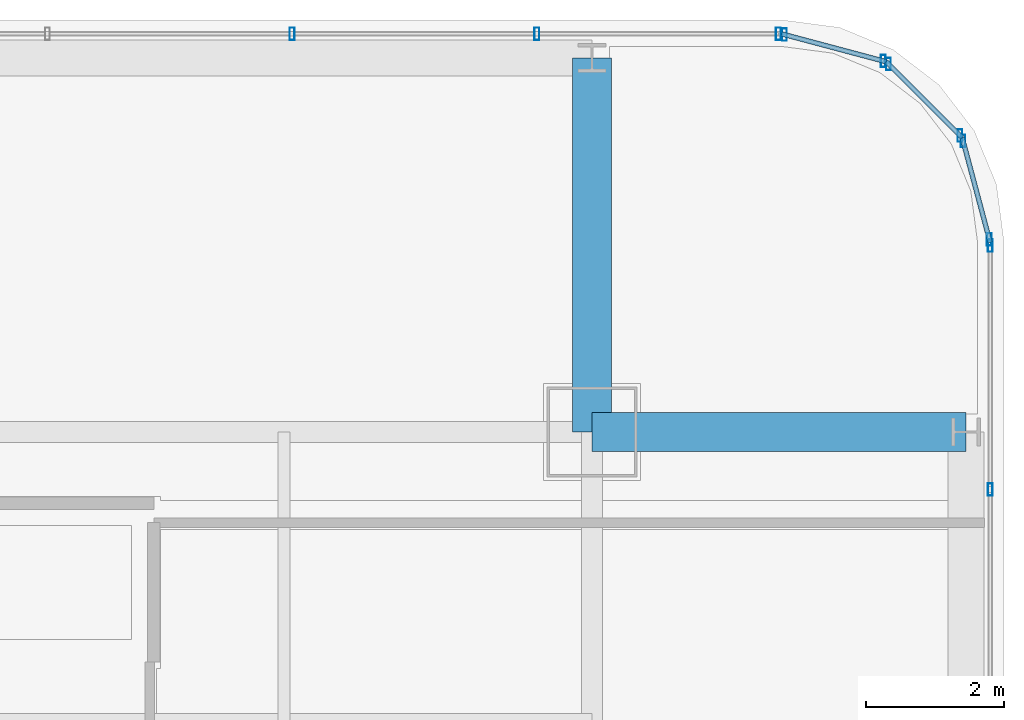
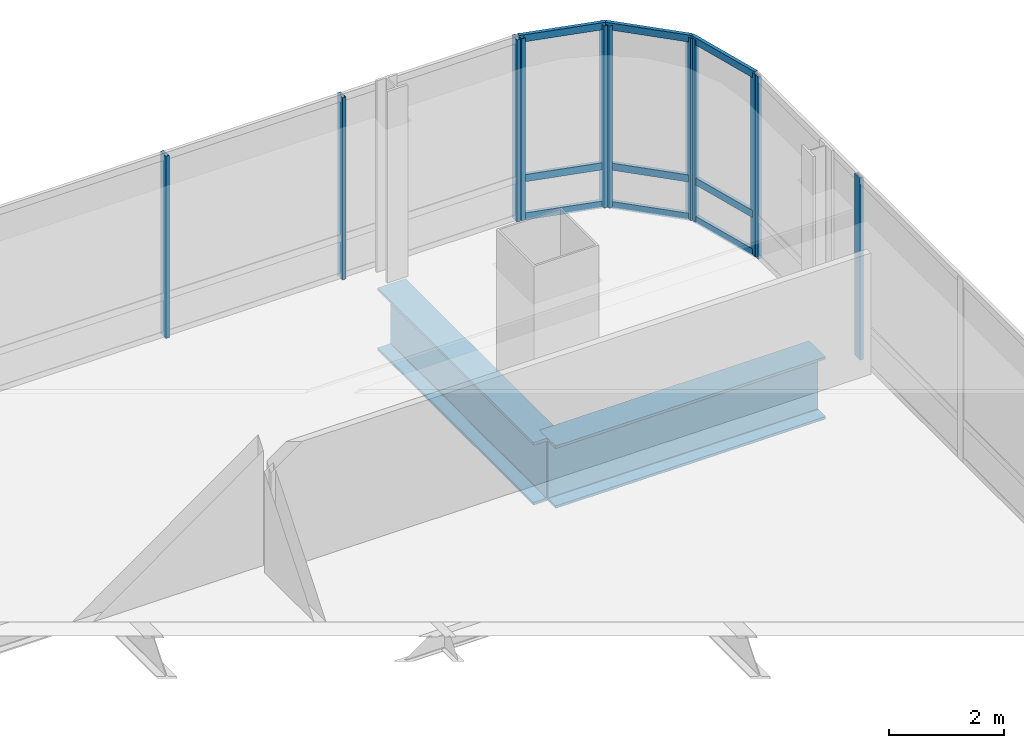
# One storey, part 30 of 42: 20 members, 2 beams, 5 elements without a shape of their own.
"""IFC4 building model written with IfcOpenShell, lengths in metres."""

from ifc_helpers import new_model, si_unit, direction, frame, origin, origin_2d, place, context, subcontext, project, spatial, hollow_rectangle, i_section, extrude, material, material_profile, profile_set, type_object, element, aggregate, save


model = new_model("IFC4")

# Units and contexts
model_context = context("Model", 3, precision=1e-05, world=origin(), true_north=direction((0.0, 1.0)))
body_context = subcontext(model_context, "Body", "Model", "MODEL_VIEW")
ifc_project = project(units=[si_unit("LENGTHUNIT", "METRE"), si_unit("AREAUNIT", "SQUARE_METRE"), si_unit("VOLUMEUNIT", "CUBIC_METRE"), si_unit("PLANEANGLEUNIT", "RADIAN"), si_unit("MASSUNIT", "GRAM", prefix="KILO")], contexts=[model_context])

# Site, building, storey
site_placement = place(None, origin())
site = spatial("IfcSite", under=ifc_project, at=site_placement, CompositionType="ELEMENT")
building_placement = place(site_placement, origin())
building = spatial("IfcBuilding", under=site, at=building_placement, Name="Punatoya Terracotta Tower", CompositionType="ELEMENT")
storey_placement = place(building_placement, frame((0.0, 0.0, 255.449951171875)))
storey = spatial("IfcBuildingStorey", under=building, at=storey_placement, Name="L60", CompositionType="ELEMENT", Elevation=255.449951171875)

# Beams
ifc_material_1 = material(Name="Steel S460", Category="steel")
ifc_material_profile_1 = material_profile(ifc_material_1, i_section(OverallWidth=0.56005859375, OverallDepth=1.320068359375, WebThickness=0.035888671875, FlangeThickness=0.054931640625, FilletRadius=0.01806640625, at=origin_2d()))
ifc_profile_set_1 = profile_set([ifc_material_profile_1], Name="Steel S460")
beam_type = type_object("IfcBeamType", Name="BM-TG-BLK", PredefinedType="BEAM", material=ifc_profile_set_1)
for number, where, z_axis, x_axis, name in (
    (1, (19.10009765625, 17.5, -0.85986328125), (1.0, 0.0, 0.0), (0.0, 1.0, 0.0), "BM-L60-CANT-E4"),
    (2, (19.10009765625, 17.5, -0.85986328125), (0.0, 1.0, 0.0), (-1.0, 0.0, 0.0), "BM-L60-CANT-N4"),
):
    element("IfcBeam", number, at=place(storey_placement, frame(where, z_axis=z_axis, x_axis=x_axis)), inside=storey, type_object=beam_type, Name=name, PredefinedType="BEAM", context=body_context, shape_type="SweptSolid", body=[
        extrude(i_section(OverallWidth=0.56005859375, OverallDepth=1.320068359375, WebThickness=0.035888671875, FlangeThickness=0.054931640625, FilletRadius=0.01806640625, at=origin_2d()), origin(), (0.0, 0.0, 1.0), 5.39990234375),
    ])

# Curtain wall, members
ifc_material_2 = material(Name="Aluminium 6063-T6 + Double Low-E Glass", Category="aluminium")
curtain_wall_type = type_object("IfcCurtainWallType", Name="CW-M3", PredefinedType="NOTDEFINED", material=ifc_material_2)
curtain_wall_1_placement = place(storey_placement, origin())
curtain_wall_1 = element("IfcCurtainWall", 3, at=curtain_wall_1_placement, inside=storey, type_object=curtain_wall_type, Name="L60 Curtain Wall CW-L60-E05-1", PredefinedType="NOTDEFINED")
ifc_material_3 = material(Name="Aluminium 6063-T6", Category="aluminium")
ifc_material_profile_2 = material_profile(ifc_material_3, hollow_rectangle(XDim=0.070068359375, YDim=0.179931640625, WallThickness=0.00390625, at=origin_2d()))
ifc_profile_set_2 = profile_set([ifc_material_profile_2], Name="Aluminium 6063-T6")
member_type_1 = type_object("IfcMemberType", Name="CW-MUL-M3", PredefinedType="MULLION", material=ifc_profile_set_2)
member_1_placement = place(storey_placement, frame((24.85009765625, 16.66943359375, 0.0), z_axis=(0.0, 0.0, 1.0), x_axis=(1.0, 0.0, 0.0)))
member_1 = element("IfcMember", 4, at=member_1_placement, type_object=member_type_1, Name="CW-L60-E05-1 Mullion 09", PredefinedType="MULLION", context=body_context, shape_type="SweptSolid", body=[
    extrude(hollow_rectangle(XDim=0.070068359375, YDim=0.179931640625, WallThickness=0.00390625, at=origin_2d()), origin(), (0.0, 0.0, 1.0), 3.85009765625),
])
member_2_placement = place(storey_placement, frame((24.85009765625, 20.19189453125, 0.0), z_axis=(0.0, 0.0, 1.0), x_axis=(1.0, 0.0, 0.0)))
member_2 = element("IfcMember", 5, at=member_2_placement, type_object=member_type_1, Name="CW-L60-E05-1 Mullion 10", PredefinedType="MULLION", context=body_context, shape_type="SweptSolid", body=[
    extrude(hollow_rectangle(XDim=0.070068359375, YDim=0.179931640625, WallThickness=0.00390625, at=origin_2d()), origin(), (0.0, 0.0, 1.0), 3.85009765625),
])
aggregate(curtain_wall_1, [member_1, member_2])

curtain_wall_2_placement = place(storey_placement, origin())
curtain_wall_2 = element("IfcCurtainWall", 6, at=curtain_wall_2_placement, inside=storey, type_object=curtain_wall_type, Name="L60 Curtain Wall CW-L60-CRN06", PredefinedType="NOTDEFINED")
member_3_placement = place(storey_placement, frame((24.83837890625, 20.280517578125, 0.0), z_axis=(0.0, 0.0, 1.0), x_axis=(1.0, 0.0, 0.0)))
member_3 = element("IfcMember", 7, at=member_3_placement, type_object=member_type_1, Name="CW-L60-CRN06 Mullion 00", PredefinedType="MULLION", context=body_context, shape_type="SweptSolid", body=[
    extrude(hollow_rectangle(XDim=0.070068359375, YDim=0.179931640625, WallThickness=0.00390625, at=origin_2d()), origin(), (0.0, 0.0, 1.0), 3.85009765625),
])
member_4_placement = place(storey_placement, frame((24.458251953125, 21.70556640625, 0.0), z_axis=(0.0, 0.0, 1.0), x_axis=(1.0, 0.0, 0.0)))
member_4 = element("IfcMember", 8, at=member_4_placement, type_object=member_type_1, Name="CW-L60-CRN06 Mullion 01", PredefinedType="MULLION", context=body_context, shape_type="SweptSolid", body=[
    extrude(hollow_rectangle(XDim=0.070068359375, YDim=0.179931640625, WallThickness=0.00390625, at=origin_2d()), origin(), (0.0, 0.0, 1.0), 3.85009765625),
])

curtain_wall_3_placement = place(storey_placement, origin())
curtain_wall_3 = element("IfcCurtainWall", 9, at=curtain_wall_3_placement, inside=storey, type_object=curtain_wall_type, Name="L60 Curtain Wall CW-L60-CRN07", PredefinedType="NOTDEFINED")
member_5_placement = place(storey_placement, frame((24.414794921875, 21.781005859375, 0.0), z_axis=(0.0, 0.0, 1.0), x_axis=(1.0, 0.0, 0.0)))
member_5 = element("IfcMember", 10, at=member_5_placement, type_object=member_type_1, Name="CW-L60-CRN07 Mullion 00", PredefinedType="MULLION", context=body_context, shape_type="SweptSolid", body=[
    extrude(hollow_rectangle(XDim=0.070068359375, YDim=0.179931640625, WallThickness=0.00390625, at=origin_2d()), origin(), (0.0, 0.0, 1.0), 3.85009765625),
])
member_6_placement = place(storey_placement, frame((23.380859375, 22.814697265625, 0.0), z_axis=(0.0, 0.0, 1.0), x_axis=(1.0, 0.0, 0.0)))
member_6 = element("IfcMember", 11, at=member_6_placement, type_object=member_type_1, Name="CW-L60-CRN07 Mullion 01", PredefinedType="MULLION", context=body_context, shape_type="SweptSolid", body=[
    extrude(hollow_rectangle(XDim=0.070068359375, YDim=0.179931640625, WallThickness=0.00390625, at=origin_2d()), origin(), (0.0, 0.0, 1.0), 3.85009765625),
])

curtain_wall_4_placement = place(storey_placement, origin())
curtain_wall_4 = element("IfcCurtainWall", 12, at=curtain_wall_4_placement, inside=storey, type_object=curtain_wall_type, Name="L60 Curtain Wall CW-L60-CRN08", PredefinedType="NOTDEFINED")
member_7_placement = place(storey_placement, frame((23.3056640625, 22.858154296875, 0.0), z_axis=(0.0, 0.0, 1.0), x_axis=(1.0, 0.0, 0.0)))
member_7 = element("IfcMember", 13, at=member_7_placement, type_object=member_type_1, Name="CW-L60-CRN08 Mullion 00", PredefinedType="MULLION", context=body_context, shape_type="SweptSolid", body=[
    extrude(hollow_rectangle(XDim=0.070068359375, YDim=0.179931640625, WallThickness=0.00390625, at=origin_2d()), origin(), (0.0, 0.0, 1.0), 3.85009765625),
])
member_8_placement = place(storey_placement, frame((21.88037109375, 23.23828125, 0.0), z_axis=(0.0, 0.0, 1.0), x_axis=(1.0, 0.0, 0.0)))
member_8 = element("IfcMember", 14, at=member_8_placement, type_object=member_type_1, Name="CW-L60-CRN08 Mullion 01", PredefinedType="MULLION", context=body_context, shape_type="SweptSolid", body=[
    extrude(hollow_rectangle(XDim=0.070068359375, YDim=0.179931640625, WallThickness=0.00390625, at=origin_2d()), origin(), (0.0, 0.0, 1.0), 3.85009765625),
])

curtain_wall_5_placement = place(storey_placement, origin())
curtain_wall_5 = element("IfcCurtainWall", 15, at=curtain_wall_5_placement, inside=storey, type_object=curtain_wall_type, Name="L60 Curtain Wall CW-L60-N09-1", PredefinedType="NOTDEFINED")
member_9_placement = place(storey_placement, frame((21.7919921875, 23.25, 0.0), z_axis=(0.0, 0.0, 1.0), x_axis=(1.0, 0.0, 0.0)))
member_9 = element("IfcMember", 16, at=member_9_placement, type_object=member_type_1, Name="CW-L60-N09-1 Mullion 00", PredefinedType="MULLION", context=body_context, shape_type="SweptSolid", body=[
    extrude(hollow_rectangle(XDim=0.070068359375, YDim=0.179931640625, WallThickness=0.00390625, at=origin_2d()), origin(), (0.0, 0.0, 1.0), 3.85009765625),
])
member_10_placement = place(storey_placement, frame((18.302978515625, 23.25, 0.0), z_axis=(0.0, 0.0, 1.0), x_axis=(1.0, 0.0, 0.0)))
member_10 = element("IfcMember", 17, at=member_10_placement, type_object=member_type_1, Name="CW-L60-N09-1 Mullion 01", PredefinedType="MULLION", context=body_context, shape_type="SweptSolid", body=[
    extrude(hollow_rectangle(XDim=0.070068359375, YDim=0.179931640625, WallThickness=0.00390625, at=origin_2d()), origin(), (0.0, 0.0, 1.0), 3.85009765625),
])
member_11_placement = place(storey_placement, frame((14.768798828125, 23.25, 0.0), z_axis=(0.0, 0.0, 1.0), x_axis=(1.0, 0.0, 0.0)))
member_11 = element("IfcMember", 18, at=member_11_placement, type_object=member_type_1, Name="CW-L60-N09-1 Mullion 02", PredefinedType="MULLION", context=body_context, shape_type="SweptSolid", body=[
    extrude(hollow_rectangle(XDim=0.070068359375, YDim=0.179931640625, WallThickness=0.00390625, at=origin_2d()), origin(), (0.0, 0.0, 1.0), 3.85009765625),
])
aggregate(curtain_wall_5, [member_9, member_10, member_11])

# Member
ifc_material_profile_3 = material_profile(ifc_material_3, hollow_rectangle(XDim=0.068115234375, YDim=0.14990234375, WallThickness=0.00390625, at=origin_2d()))
ifc_profile_set_3 = profile_set([ifc_material_profile_3], Name="Aluminium 6063-T6")
member_type_2 = type_object("IfcMemberType", Name="CW-TRN-TYP", PredefinedType="USERDEFINED", material=ifc_profile_set_3)
member_12_placement = place(storey_placement, frame((24.85009765625, 20.23681640625, 0.0400390625), z_axis=(-0.257847112249, 0.966185730957, 0.0), x_axis=(-0.966185730957, -0.257847112249, 0.0)))
member_12 = element("IfcMember", 19, at=member_12_placement, type_object=member_type_2, Name="CW-L60-CRN06 Transom 1", ObjectType="TRANSOM", PredefinedType="USERDEFINED", context=body_context, shape_type="SweptSolid", body=[
    extrude(hollow_rectangle(XDim=0.068115234375, YDim=0.14990234375, WallThickness=0.00390625, at=origin_2d()), origin(), (0.0, 0.0, 1.0), 1.565185546875),
])

member_13_placement = place(storey_placement, frame((24.85009765625, 20.23681640625, 0.85009765625), z_axis=(-0.257847112249, 0.966185730957, 0.0), x_axis=(-0.966185730957, -0.257847112249, 0.0)))
member_13 = element("IfcMember", 20, at=member_13_placement, type_object=member_type_2, Name="CW-L60-CRN06 Transom 2", ObjectType="TRANSOM", PredefinedType="USERDEFINED", context=body_context, shape_type="SweptSolid", body=[
    extrude(hollow_rectangle(XDim=0.068115234375, YDim=0.14990234375, WallThickness=0.00390625, at=origin_2d()), origin(), (0.0, 0.0, 1.0), 1.565185546875),
])

member_14_placement = place(storey_placement, frame((24.85009765625, 20.23681640625, 3.81005859375), z_axis=(-0.257847112249, 0.966185730957, 0.0), x_axis=(-0.966185730957, -0.257847112249, 0.0)))
member_14 = element("IfcMember", 21, at=member_14_placement, type_object=member_type_2, Name="CW-L60-CRN06 Transom 3", ObjectType="TRANSOM", PredefinedType="USERDEFINED", context=body_context, shape_type="SweptSolid", body=[
    extrude(hollow_rectangle(XDim=0.068115234375, YDim=0.14990234375, WallThickness=0.00390625, at=origin_2d()), origin(), (0.0, 0.0, 1.0), 1.565185546875),
])

aggregate(curtain_wall_2, [member_3, member_4, member_12, member_13, member_14])

member_15_placement = place(storey_placement, frame((24.446533203125, 21.7490234375, 0.0400390625), z_axis=(-0.707028130747, 0.707185422879, 0.0), x_axis=(-0.707185422879, -0.707028130747, 0.0)))
member_15 = element("IfcMember", 22, at=member_15_placement, type_object=member_type_2, Name="CW-L60-CRN07 Transom 1", ObjectType="TRANSOM", PredefinedType="USERDEFINED", context=body_context, shape_type="SweptSolid", body=[
    extrude(hollow_rectangle(XDim=0.068115234375, YDim=0.14990234375, WallThickness=0.00390625, at=origin_2d()), origin(), (0.0, 0.0, 1.0), 1.55224609375),
])

member_16_placement = place(storey_placement, frame((24.446533203125, 21.7490234375, 0.85009765625), z_axis=(-0.707028130747, 0.707185422879, 0.0), x_axis=(-0.707185422879, -0.707028130747, 0.0)))
member_16 = element("IfcMember", 23, at=member_16_placement, type_object=member_type_2, Name="CW-L60-CRN07 Transom 2", ObjectType="TRANSOM", PredefinedType="USERDEFINED", context=body_context, shape_type="SweptSolid", body=[
    extrude(hollow_rectangle(XDim=0.068115234375, YDim=0.14990234375, WallThickness=0.00390625, at=origin_2d()), origin(), (0.0, 0.0, 1.0), 1.55224609375),
])

member_17_placement = place(storey_placement, frame((24.446533203125, 21.7490234375, 3.81005859375), z_axis=(-0.707028130747, 0.707185422879, 0.0), x_axis=(-0.707185422879, -0.707028130747, 0.0)))
member_17 = element("IfcMember", 24, at=member_17_placement, type_object=member_type_2, Name="CW-L60-CRN07 Transom 3", ObjectType="TRANSOM", PredefinedType="USERDEFINED", context=body_context, shape_type="SweptSolid", body=[
    extrude(hollow_rectangle(XDim=0.068115234375, YDim=0.14990234375, WallThickness=0.00390625, at=origin_2d()), origin(), (0.0, 0.0, 1.0), 1.55224609375),
])

aggregate(curtain_wall_3, [member_5, member_6, member_15, member_16, member_17])

member_18_placement = place(storey_placement, frame((23.34912109375, 22.8466796875, 0.0400390625), z_axis=(-0.966224582397, 0.257701486942, 0.0), x_axis=(-0.257701486942, -0.966224582397, 0.0)))
member_18 = element("IfcMember", 25, at=member_18_placement, type_object=member_type_2, Name="CW-L60-CRN08 Transom 1", ObjectType="TRANSOM", PredefinedType="USERDEFINED", context=body_context, shape_type="SweptSolid", body=[
    extrude(hollow_rectangle(XDim=0.068115234375, YDim=0.14990234375, WallThickness=0.00390625, at=origin_2d()), origin(), (0.0, 0.0, 1.0), 1.565185546875),
])

member_19_placement = place(storey_placement, frame((23.34912109375, 22.8466796875, 0.85009765625), z_axis=(-0.966224582397, 0.257701486942, 0.0), x_axis=(-0.257701486942, -0.966224582397, 0.0)))
member_19 = element("IfcMember", 26, at=member_19_placement, type_object=member_type_2, Name="CW-L60-CRN08 Transom 2", ObjectType="TRANSOM", PredefinedType="USERDEFINED", context=body_context, shape_type="SweptSolid", body=[
    extrude(hollow_rectangle(XDim=0.068115234375, YDim=0.14990234375, WallThickness=0.00390625, at=origin_2d()), origin(), (0.0, 0.0, 1.0), 1.565185546875),
])

member_20_placement = place(storey_placement, frame((23.34912109375, 22.8466796875, 3.81005859375), z_axis=(-0.966224582397, 0.257701486942, 0.0), x_axis=(-0.257701486942, -0.966224582397, 0.0)))
member_20 = element("IfcMember", 27, at=member_20_placement, type_object=member_type_2, Name="CW-L60-CRN08 Transom 3", ObjectType="TRANSOM", PredefinedType="USERDEFINED", context=body_context, shape_type="SweptSolid", body=[
    extrude(hollow_rectangle(XDim=0.068115234375, YDim=0.14990234375, WallThickness=0.00390625, at=origin_2d()), origin(), (0.0, 0.0, 1.0), 1.565185546875),
])

aggregate(curtain_wall_4, [member_7, member_8, member_18, member_19, member_20])

save(model, "model.ifc")
